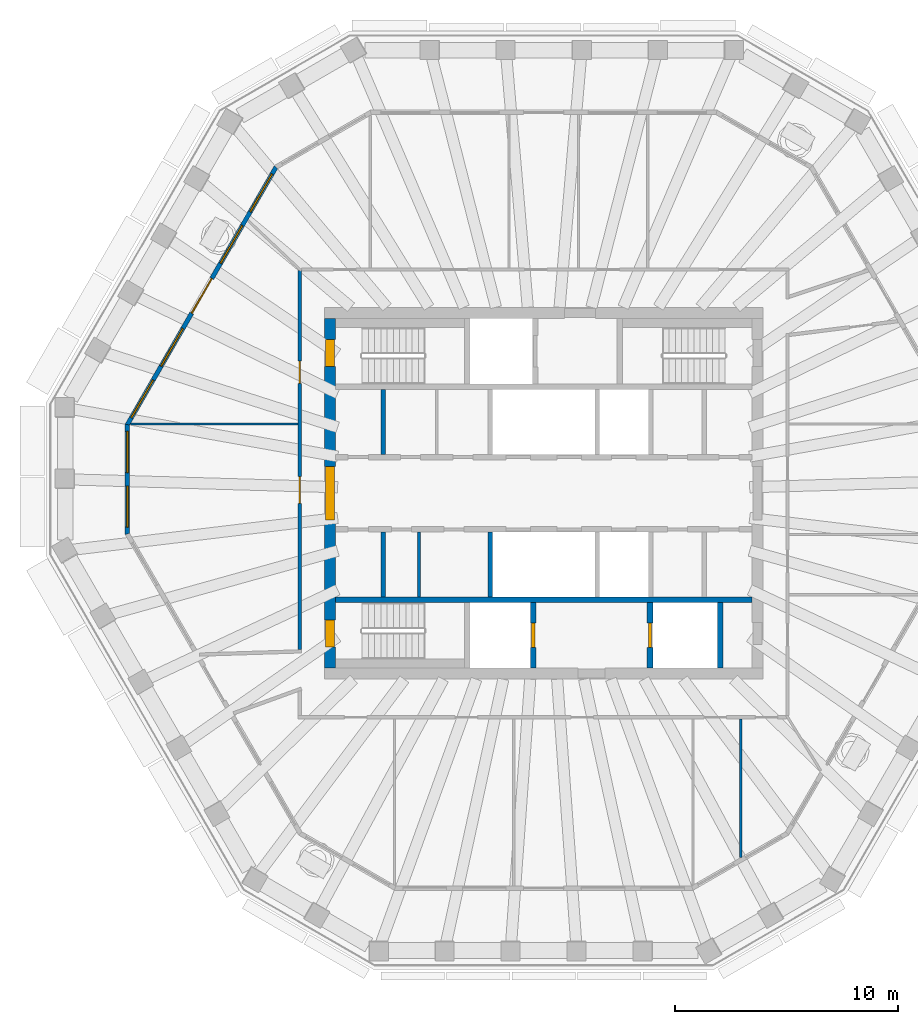
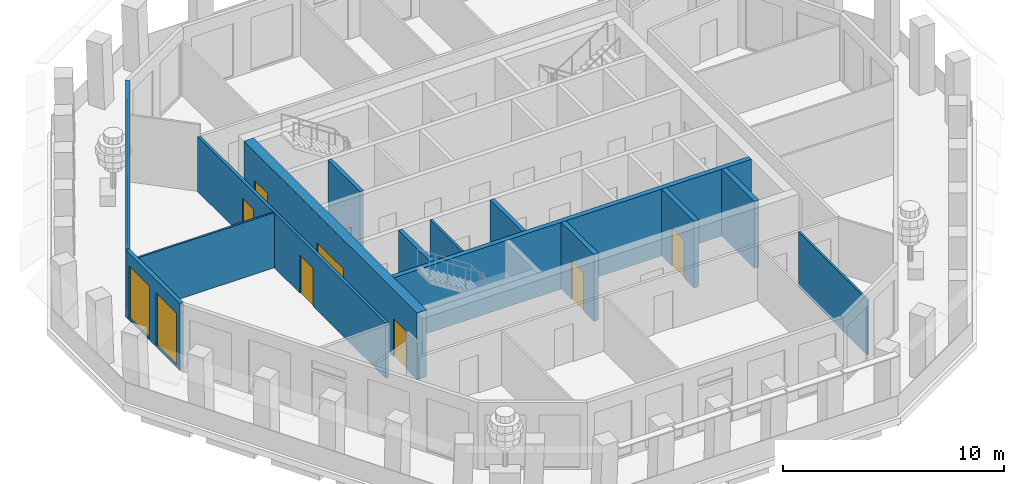
# One storey, part 4 of 11: 14 walls, 8 doors, 7 windows, 15 openings.
"""IFC4 building model written with IfcOpenShell, lengths in metres."""

from ifc_helpers import new_model, si_unit, direction, frame, frame_2d, origin, place, context, subcontext, project, spatial, polyline, rectangle, outline, extrude, material, layer, layer_set, type_object, element, fill, save


model = new_model("IFC4")

# Units and contexts
model_context = context("Model", 3, precision=1e-05, world=origin(), true_north=direction((0.0, 1.0)))
body_context = subcontext(model_context, "Body", "Model", "MODEL_VIEW")
ifc_project = project(units=[si_unit("LENGTHUNIT", "METRE"), si_unit("AREAUNIT", "SQUARE_METRE"), si_unit("VOLUMEUNIT", "CUBIC_METRE"), si_unit("PLANEANGLEUNIT", "RADIAN"), si_unit("MASSUNIT", "GRAM", prefix="KILO")], contexts=[model_context])

# Site, building, storey
site_placement = place(None, origin())
site = spatial("IfcSite", under=ifc_project, at=site_placement, CompositionType="ELEMENT")
building_placement = place(site_placement, origin())
building = spatial("IfcBuilding", under=site, at=building_placement, Name="Frailejon Research Tower", CompositionType="ELEMENT")
storey_placement = place(building_placement, frame((0.0, 0.0, 328.60009765625)))
storey = spatial("IfcBuildingStorey", under=building, at=storey_placement, Name="L73", CompositionType="ELEMENT", Elevation=328.60009765625)

# Wall
ifc_material_1 = material(Name="Plasterboard on steel studs", Category="steel")
ifc_layer_1 = layer(ifc_material_1, 0.125)
ifc_layer_set_1 = layer_set([ifc_layer_1], Name="Core partition 125")
wall_type_1 = type_object("IfcWallType", Name="Core partition 125", PredefinedType="PARTITIONING", material=ifc_layer_set_1)
wall_1_placement = place(storey_placement, frame((-5.60009765625, -4.64990234375, 0.0), z_axis=(0.0, 0.0, 1.0), x_axis=(0.0, 1.0, 0.0)))
element("IfcWall", 1, at=wall_1_placement, inside=storey, type_object=wall_type_1, Name="Core partition", PredefinedType="PARTITIONING", context=body_context, shape_type="SweptSolid", body=[
    extrude(rectangle(XDim=2.89990234375, YDim=0.125, at=frame_2d((1.449951171875, 0.0))), origin(), (0.0, 0.0, 1.0), 3.699951171875),
])

# Wall, openings, doors
ifc_material_2 = material(Name="Concrete C50/60", Category="concrete")
ifc_layer_2 = layer(ifc_material_2, 0.5)
ifc_layer_set_2 = layer_set([ifc_layer_2], Name="Core shear wall 500 C50/60")
wall_type_2 = type_object("IfcWallType", Name="Core shear wall 500 C50/60", PredefinedType="SHEAR", material=ifc_layer_set_2)
wall_2_placement = place(storey_placement, frame((-9.60009765625, -7.85009765625, 0.0), z_axis=(0.0, 0.0, 1.0), x_axis=(0.0, 1.0, 0.0)))
wall_2 = element("IfcWall", 2, at=wall_2_placement, inside=storey, type_object=wall_type_2, Name="Core shear wall", PredefinedType="SHEAR", context=body_context, shape_type="SweptSolid", body=[
    extrude(rectangle(XDim=15.7001953125, YDim=0.5, at=frame_2d((7.85009765625, 0.0))), origin(), (0.0, 0.0, 1.0), 3.699951171875),
])
opening_1_placement = place(wall_2_placement, frame((6.64990234375, 0.0, 0.0)))
opening_1 = element("IfcOpeningElement", 3, at=opening_1_placement, cuts=wall_2, Name="Opening D2", PredefinedType="OPENING", context=body_context, shape_type="SweptSolid", body=[
    extrude(rectangle(XDim=2.39990234375, YDim=2.10009765625, at=frame_2d((1.199951171875, 1.050048828125))), frame((0.0, 0.260009765625, 0.0), z_axis=(0.0, -1.0, 0.0), x_axis=(1.0, 0.0, 0.0)), (0.0, 0.0, 1.0), 0.52001953125),
])
opening_2_placement = place(wall_2_placement, frame((13.550048828125, 0.0, 0.0)))
opening_2 = element("IfcOpeningElement", 4, at=opening_2_placement, cuts=wall_2, Name="Opening D1", PredefinedType="OPENING", context=body_context, shape_type="SweptSolid", body=[
    extrude(rectangle(XDim=1.199951171875, YDim=2.10009765625, at=frame_2d((0.60009765625, 1.050048828125))), frame((0.0, 0.260009765625, 0.0), z_axis=(0.0, -1.0, 0.0), x_axis=(1.0, 0.0, 0.0)), (0.0, 0.0, 1.0), 0.52001953125),
])
opening_3_placement = place(wall_2_placement, frame((0.949951171875, 0.0, 0.0)))
opening_3 = element("IfcOpeningElement", 5, at=opening_3_placement, cuts=wall_2, Name="Opening D1", PredefinedType="OPENING", context=body_context, shape_type="SweptSolid", body=[
    extrude(rectangle(XDim=1.199951171875, YDim=2.10009765625, at=frame_2d((0.60009765625, 1.050048828125))), frame((0.0, 0.260009765625, 0.0), z_axis=(0.0, -1.0, 0.0), x_axis=(1.0, 0.0, 0.0)), (0.0, 0.0, 1.0), 0.52001953125),
])
ifc_material_3 = material(Name="Steel", Category="steel")
door_type_1 = type_object("IfcDoorType", Name="Lobby double door", OperationType="DOUBLE_DOOR_SINGLE_SWING", PredefinedType="DOOR", material=ifc_material_3)
door_1_placement = place(opening_1_placement, origin())
door_1 = element("IfcDoor", 6, at=door_1_placement, inside=storey, type_object=door_type_1, Name="Lobby door", OperationType="DOUBLE_DOOR_SINGLE_SWING", OverallHeight=2.10009765625, OverallWidth=2.39990234375, PredefinedType="DOOR", context=body_context, shape_type="SweptSolid", body=[
    extrude(rectangle(XDim=2.39990234375, YDim=2.10009765625, at=frame_2d((1.199951171875, 1.050048828125))), frame((0.0, 0.199951171875, 0.0), z_axis=(0.0, -1.0, 0.0), x_axis=(1.0, 0.0, 0.0)), (0.0, 0.0, 1.0), 0.39990234375),
])
fill(opening_1, door_1)
ifc_material_4 = material(Name="Steel", Category="steel")
door_type_2 = type_object("IfcDoorType", Name="Stair door", OperationType="SINGLE_SWING_LEFT", PredefinedType="DOOR", material=ifc_material_4)
door_2_placement = place(opening_2_placement, origin())
door_2 = element("IfcDoor", 7, at=door_2_placement, inside=storey, type_object=door_type_2, Name="Stair door ST1", OperationType="SINGLE_SWING_RIGHT", OverallHeight=2.10009765625, OverallWidth=1.199951171875, PredefinedType="DOOR", context=body_context, shape_type="SweptSolid", body=[
    extrude(rectangle(XDim=1.199951171875, YDim=2.10009765625, at=frame_2d((0.60009765625, 1.050048828125))), frame((0.0, 0.199951171875, 0.0), z_axis=(0.0, -1.0, 0.0), x_axis=(1.0, 0.0, 0.0)), (0.0, 0.0, 1.0), 0.39990234375),
])
fill(opening_2, door_2)
door_3_placement = place(opening_3_placement, origin())
door_3 = element("IfcDoor", 8, at=door_3_placement, inside=storey, type_object=door_type_2, Name="Stair door ST2", OperationType="SINGLE_SWING_LEFT", OverallHeight=2.10009765625, OverallWidth=1.199951171875, PredefinedType="DOOR", context=body_context, shape_type="SweptSolid", body=[
    extrude(rectangle(XDim=1.199951171875, YDim=2.10009765625, at=frame_2d((0.60009765625, 1.050048828125))), frame((0.0, 0.199951171875, 0.0), z_axis=(0.0, -1.0, 0.0), x_axis=(1.0, 0.0, 0.0)), (0.0, 0.0, 1.0), 0.39990234375),
])
fill(opening_3, door_3)

ifc_material_5 = material(Name="Gypsum board and masonry partition", Category="masonry")
ifc_layer_3 = layer(ifc_material_5, 0.14990234375)
ifc_layer_set_3 = layer_set([ifc_layer_3], Name="Corridor wall EI 60, gypsum on steel studs 150")
wall_type_3 = type_object("IfcWallType", Name="Corridor wall EI 60, gypsum on steel studs 150", PredefinedType="PARTITIONING", material=ifc_layer_set_3)
wall_3_placement = place(storey_placement, frame((-10.949951171875, -7.02490234375, 0.0), z_axis=(0.0, 0.0, 1.0), x_axis=(0.0, 1.0, 0.0)))
wall_3 = element("IfcWall", 9, at=wall_3_placement, inside=storey, type_object=wall_type_3, Name="T:IW:L73:007", PredefinedType="PARTITIONING", context=body_context, shape_type="SweptSolid", body=[
    extrude(rectangle(XDim=17.02490234375, YDim=0.14990234375, at=frame_2d((8.512451171875, 0.0))), origin(), (0.0, 0.0, 1.0), 3.0498046875),
])
opening_4_placement = place(wall_3_placement, frame((11.95751953125, 0.0, 0.0)))
opening_4 = element("IfcOpeningElement", 10, at=opening_4_placement, cuts=wall_3, Name="Opening D2371", PredefinedType="OPENING", context=body_context, shape_type="SweptSolid", body=[
    extrude(rectangle(XDim=1.0, YDim=2.10009765625, at=frame_2d((0.5, 1.050048828125))), frame((0.0, 0.0849609375, 0.0), z_axis=(0.0, -1.0, 0.0), x_axis=(1.0, 0.0, 0.0)), (0.0, 0.0, 1.0), 0.169921875),
])
opening_5_placement = place(wall_3_placement, frame((6.56884765625, 0.0, 0.0)))
opening_5 = element("IfcOpeningElement", 11, at=opening_5_placement, cuts=wall_3, Name="Opening D2372", PredefinedType="OPENING", context=body_context, shape_type="SweptSolid", body=[
    extrude(rectangle(XDim=1.199951171875, YDim=2.10009765625, at=frame_2d((0.60009765625, 1.050048828125))), frame((0.0, 0.0849609375, 0.0), z_axis=(0.0, -1.0, 0.0), x_axis=(1.0, 0.0, 0.0)), (0.0, 0.0, 1.0), 0.169921875),
])
ifc_material_6 = material(Name="Timber door leaf", Category="wood")
door_type_3 = type_object("IfcDoorType", Name="Door single leaf, timber, steel frame 1000", OperationType="NOTDEFINED", PredefinedType="DOOR", material=ifc_material_6)
door_4_placement = place(opening_4_placement, origin())
door_4 = element("IfcDoor", 12, at=door_4_placement, inside=storey, type_object=door_type_3, Name="D2371", OperationType="SINGLE_SWING_LEFT", OverallHeight=2.10009765625, OverallWidth=1.0, PredefinedType="DOOR", context=body_context, shape_type="SweptSolid", body=[
    extrude(rectangle(XDim=1.0, YDim=2.10009765625, at=frame_2d((0.5, 1.050048828125))), frame((0.0, 0.02490234375, 0.0), z_axis=(0.0, -1.0, 0.0), x_axis=(1.0, 0.0, 0.0)), (0.0, 0.0, 1.0), 0.050048828125),
])
fill(opening_4, door_4)
ifc_material_7 = material(Name="Timber door leaf", Category="wood")
door_type_4 = type_object("IfcDoorType", Name="Door single leaf, timber, steel frame 1200", OperationType="NOTDEFINED", PredefinedType="DOOR", material=ifc_material_7)
door_5_placement = place(opening_5_placement, origin())
door_5 = element("IfcDoor", 13, at=door_5_placement, inside=storey, type_object=door_type_4, Name="D2372", OperationType="DOUBLE_DOOR_SINGLE_SWING", OverallHeight=2.10009765625, OverallWidth=1.199951171875, PredefinedType="DOOR", context=body_context, shape_type="SweptSolid", body=[
    extrude(rectangle(XDim=1.199951171875, YDim=2.10009765625, at=frame_2d((0.60009765625, 1.050048828125))), frame((0.0, 0.02490234375, 0.0), z_axis=(0.0, -1.0, 0.0), x_axis=(1.0, 0.0, 0.0)), (0.0, 0.0, 1.0), 0.050048828125),
])
fill(opening_5, door_5)

# Walls
ifc_material_8 = material(Name="Gypsum board and masonry partition", Category="masonry")
ifc_layer_4 = layer(ifc_material_8, 0.10009765625)
ifc_layer_set_4 = layer_set([ifc_layer_4], Name="Partition, gypsum on steel studs 100")
wall_type_4 = type_object("IfcWallType", Name="Partition, gypsum on steel studs 100", PredefinedType="PARTITIONING", material=ifc_layer_set_4)
wall_4_placement = place(storey_placement, frame((-18.5595703125, 3.111083984375, 0.0), z_axis=(0.0, 0.0, 1.0), x_axis=(1.0, 0.0, 0.0)))
element("IfcWall", 14, at=wall_4_placement, inside=storey, type_object=wall_type_4, Name="T:IW:L73:011", PredefinedType="PARTITIONING", context=body_context, shape_type="SweptSolid", body=[
    extrude(rectangle(XDim=7.53466796875, YDim=0.10009765625, at=frame_2d((3.767333984375, 0.0))), origin(), (0.0, 0.0, 1.0), 3.0498046875),
])
wall_5_placement = place(storey_placement, frame((8.850830078125, -16.356201171875, 0.0), z_axis=(0.0, 0.0, 1.0), x_axis=(0.0, 1.0, 0.0)))
element("IfcWall", 15, at=wall_5_placement, inside=storey, type_object=wall_type_4, Name="T:IW:L73:022", PredefinedType="PARTITIONING", context=body_context, shape_type="SweptSolid", body=[
    extrude(rectangle(XDim=6.231201171875, YDim=0.10009765625, at=frame_2d((3.11572265625, 0.0))), origin(), (0.0, 0.0, 1.0), 3.0498046875),
])
ifc_material_9 = material(Name="Concrete C50/60", Category="concrete")
ifc_layer_5 = layer(ifc_material_9, 0.199951171875)
ifc_layer_set_5 = layer_set([ifc_layer_5], Name="Shaft wall 200 C50/60")
wall_type_5 = type_object("IfcWallType", Name="Shaft wall 200 C50/60", PredefinedType="SOLIDWALL", material=ifc_layer_set_5)
for number, where, z_axis, x_axis, name in (
    (16, (-7.199951171875, 1.75, 0.0), (0.0, 0.0, 1.0), (0.0, 1.0, 0.0), "Shaft wall"),
    (17, (-7.199951171875, -4.64990234375, 0.0), (0.0, 0.0, 1.0), (0.0, 1.0, 0.0), "Shaft wall"),
    (18, (-2.39990234375, -4.64990234375, 0.0), (0.0, 0.0, 1.0), (0.0, 1.0, 0.0), "Shaft wall"),
):
    element("IfcWall", number, at=place(storey_placement, frame(where, z_axis=z_axis, x_axis=x_axis)), inside=storey, type_object=wall_type_5, Name=name, PredefinedType="SOLIDWALL", context=body_context, shape_type="SweptSolid", body=[
        extrude(rectangle(XDim=2.89990234375, YDim=0.199951171875, at=frame_2d((1.449951171875, 0.0))), origin(), (0.0, 0.0, 1.0), 3.699951171875),
    ])
ifc_material_10 = material(Name="Concrete C50/60", Category="concrete")
ifc_layer_6 = layer(ifc_material_10, 0.25)
ifc_layer_set_6 = layer_set([ifc_layer_6], Name="Shaft wall 250 C50/60")
wall_type_6 = type_object("IfcWallType", Name="Shaft wall 250 C50/60", PredefinedType="SOLIDWALL", material=ifc_layer_set_6)
wall_6_placement = place(storey_placement, frame((-9.35009765625, -4.77490234375, 0.0), z_axis=(0.0, 0.0, 1.0), x_axis=(1.0, 0.0, 0.0)))
element("IfcWall", 19, at=wall_6_placement, inside=storey, type_object=wall_type_6, Name="Shaft wall", PredefinedType="SOLIDWALL", context=body_context, shape_type="SweptSolid", body=[
    extrude(rectangle(XDim=18.7001953125, YDim=0.25, at=frame_2d((9.35009765625, 0.0))), origin(), (0.0, 0.0, 1.0), 3.699951171875),
])

# Wall, opening, door
wall_7_placement = place(storey_placement, frame((-0.47509765625, -7.85009765625, 0.0), z_axis=(0.0, 0.0, 1.0), x_axis=(0.0, 1.0, 0.0)))
wall_7 = element("IfcWall", 20, at=wall_7_placement, inside=storey, type_object=wall_type_6, Name="Shaft wall", PredefinedType="SOLIDWALL", context=body_context, shape_type="SweptSolid", body=[
    extrude(rectangle(XDim=2.9501953125, YDim=0.25, at=frame_2d((1.47509765625, 0.0))), origin(), (0.0, 0.0, 1.0), 3.699951171875),
])
opening_6_placement = place(wall_7_placement, frame((0.925048828125, 0.0, 0.0)))
opening_6 = element("IfcOpeningElement", 21, at=opening_6_placement, cuts=wall_7, Name="Opening LD", PredefinedType="OPENING", context=body_context, shape_type="SweptSolid", body=[
    extrude(rectangle(XDim=1.10009765625, YDim=2.10009765625, at=frame_2d((0.550048828125, 1.050048828125))), frame((0.0, 0.135009765625, 0.0), z_axis=(0.0, -1.0, 0.0), x_axis=(1.0, 0.0, 0.0)), (0.0, 0.0, 1.0), 0.27001953125),
])
ifc_material_11 = material(Name="Steel", Category="steel")
door_type_5 = type_object("IfcDoorType", Name="Lift landing door", OperationType="DOUBLE_DOOR_SLIDING", PredefinedType="DOOR", material=ifc_material_11)
door_6_placement = place(opening_6_placement, origin())
door_6 = element("IfcDoor", 22, at=door_6_placement, inside=storey, type_object=door_type_5, Name="Lift landing door", OperationType="DOUBLE_DOOR_SLIDING", OverallHeight=2.10009765625, OverallWidth=1.10009765625, PredefinedType="DOOR", context=body_context, shape_type="SweptSolid", body=[
    extrude(rectangle(XDim=1.10009765625, YDim=2.10009765625, at=frame_2d((0.550048828125, 1.050048828125))), frame((0.0, 0.074951171875, 0.0), z_axis=(0.0, -1.0, 0.0), x_axis=(1.0, 0.0, 0.0)), (0.0, 0.0, 1.0), 0.14990234375),
])
fill(opening_6, door_6)

wall_8_placement = place(storey_placement, frame((4.77490234375, -7.85009765625, 0.0), z_axis=(0.0, 0.0, 1.0), x_axis=(0.0, 1.0, 0.0)))
wall_8 = element("IfcWall", 23, at=wall_8_placement, inside=storey, type_object=wall_type_6, Name="Shaft wall", PredefinedType="SOLIDWALL", context=body_context, shape_type="SweptSolid", body=[
    extrude(rectangle(XDim=2.9501953125, YDim=0.25, at=frame_2d((1.47509765625, 0.0))), origin(), (0.0, 0.0, 1.0), 3.699951171875),
])
opening_7_placement = place(wall_8_placement, frame((0.925048828125, 0.0, 0.0)))
opening_7 = element("IfcOpeningElement", 24, at=opening_7_placement, cuts=wall_8, Name="Opening LD", PredefinedType="OPENING", context=body_context, shape_type="SweptSolid", body=[
    extrude(rectangle(XDim=1.10009765625, YDim=2.10009765625, at=frame_2d((0.550048828125, 1.050048828125))), frame((0.0, 0.135009765625, 0.0), z_axis=(0.0, -1.0, 0.0), x_axis=(1.0, 0.0, 0.0)), (0.0, 0.0, 1.0), 0.27001953125),
])
door_7_placement = place(opening_7_placement, origin())
door_7 = element("IfcDoor", 25, at=door_7_placement, inside=storey, type_object=door_type_5, Name="Lift landing door", OperationType="DOUBLE_DOOR_SLIDING", OverallHeight=2.10009765625, OverallWidth=1.10009765625, PredefinedType="DOOR", context=body_context, shape_type="SweptSolid", body=[
    extrude(rectangle(XDim=1.10009765625, YDim=2.10009765625, at=frame_2d((0.550048828125, 1.050048828125))), frame((0.0, 0.074951171875, 0.0), z_axis=(0.0, -1.0, 0.0), x_axis=(1.0, 0.0, 0.0)), (0.0, 0.0, 1.0), 0.14990234375),
])
fill(opening_7, door_7)

# Wall
wall_9_placement = place(storey_placement, frame((7.925048828125, -7.85009765625, 0.0), z_axis=(0.0, 0.0, 1.0), x_axis=(0.0, 1.0, 0.0)))
element("IfcWall", 26, at=wall_9_placement, inside=storey, type_object=wall_type_6, Name="Shaft wall", PredefinedType="SOLIDWALL", context=body_context, shape_type="SweptSolid", body=[
    extrude(rectangle(XDim=2.9501953125, YDim=0.25, at=frame_2d((1.47509765625, 0.0))), origin(), (0.0, 0.0, 1.0), 3.699951171875),
])

# Wall, openings, door, windows
ifc_material_12 = material(Name="Concrete C40/50 precast window wall panel", Category="concrete")
ifc_layer_7 = layer(ifc_material_12, 0.199951171875)
ifc_layer_set_7 = layer_set([ifc_layer_7], Name="Window wall 200")
wall_type_7 = type_object("IfcWallType", Name="Window wall 200", PredefinedType="SOLIDWALL", material=ifc_layer_set_7)
wall_10_placement = place(storey_placement, frame((-12.016357421875, 14.644287109375, 0.0), z_axis=(0.0, 0.0, 1.0), x_axis=(-0.499992657759, -0.866029642788, 0.0)))
wall_10 = element("IfcWall", 27, at=wall_10_placement, inside=storey, type_object=wall_type_7, Name="Exterior wall L73", PredefinedType="SOLIDWALL", context=body_context, shape_type="SweptSolid", body=[
    extrude(outline(polyline([(-0.02685546875, -0.10009765625), (1.004150390625, -0.10009765625), (2.034912109375, -0.10009765625), (3.06591796875, -0.10009765625), (4.096923828125, -0.10009765625), (5.127685546875, -0.10009765625), (6.15869140625, -0.10009765625), (7.189697265625, -0.10009765625), (8.220703125, -0.10009765625), (9.25146484375, -0.10009765625), (10.282470703125, -0.10009765625), (11.3134765625, -0.10009765625), (12.34423828125, -0.10009765625), (13.375244140625, -0.10009765625), (13.321533203125, 0.10009765625), (12.298828125, 0.10009765625), (11.276123046875, 0.10009765625), (10.25341796875, 0.10009765625), (9.23095703125, 0.10009765625), (8.208251953125, 0.10009765625), (7.185546875, 0.10009765625), (6.162841796875, 0.10009765625), (5.14013671875, 0.10009765625), (4.117431640625, 0.10009765625), (3.094970703125, 0.10009765625), (2.072265625, 0.10009765625), (1.049560546875, 0.10009765625), (0.02685546875, 0.10009765625), (-0.02685546875, -0.10009765625)])), origin(), (0.0, 0.0, 1.0), 3.699951171875),
])
opening_8_placement = place(wall_10_placement, frame((0.35986328125, 0.0, 0.10009765625)))
opening_8 = element("IfcOpeningElement", 28, at=opening_8_placement, cuts=wall_10, Name="Opening W27", PredefinedType="OPENING", context=body_context, shape_type="SweptSolid", body=[
    extrude(rectangle(XDim=1.949951171875, YDim=2.89990234375, at=frame_2d((0.97509765625, 1.449951171875))), frame((0.0, 0.10986328125, 0.0), z_axis=(0.0, -1.0, 0.0), x_axis=(1.0, 0.0, 0.0)), (0.0, 0.0, 1.0), 0.219970703125),
])
opening_9_placement = place(wall_10_placement, frame((3.029541015625, 0.0, 0.10009765625)))
opening_9 = element("IfcOpeningElement", 29, at=opening_9_placement, cuts=wall_10, Name="Opening W27", PredefinedType="OPENING", context=body_context, shape_type="SweptSolid", body=[
    extrude(rectangle(XDim=1.949951171875, YDim=2.89990234375, at=frame_2d((0.97509765625, 1.449951171875))), frame((0.0, 0.10986328125, 0.0), z_axis=(0.0, -1.0, 0.0), x_axis=(1.0, 0.0, 0.0)), (0.0, 0.0, 1.0), 0.219970703125),
])
opening_10_placement = place(wall_10_placement, frame((5.774169921875, 0.0, 0.0)))
opening_10 = element("IfcOpeningElement", 30, at=opening_10_placement, cuts=wall_10, Name="Opening LG73-3", PredefinedType="OPENING", context=body_context, shape_type="SweptSolid", body=[
    extrude(rectangle(XDim=1.800048828125, YDim=2.39990234375, at=frame_2d((0.89990234375, 1.199951171875))), frame((0.0, 0.10986328125, 0.0), z_axis=(0.0, -1.0, 0.0), x_axis=(1.0, 0.0, 0.0)), (0.0, 0.0, 1.0), 0.219970703125),
])
opening_11_placement = place(wall_10_placement, frame((5.774169921875, 0.0, 2.550048828125)))
opening_11 = element("IfcOpeningElement", 31, at=opening_11_placement, cuts=wall_10, Name="Opening W1", PredefinedType="OPENING", context=body_context, shape_type="SweptSolid", body=[
    extrude(rectangle(XDim=1.800048828125, YDim=0.449951171875, at=frame_2d((0.89990234375, 0.22509765625))), frame((0.0, 0.10986328125, 0.0), z_axis=(0.0, -1.0, 0.0), x_axis=(1.0, 0.0, 0.0)), (0.0, 0.0, 1.0), 0.219970703125),
])
opening_12_placement = place(wall_10_placement, frame((8.36865234375, 0.0, 0.10009765625)))
opening_12 = element("IfcOpeningElement", 32, at=opening_12_placement, cuts=wall_10, Name="Opening W27", PredefinedType="OPENING", context=body_context, shape_type="SweptSolid", body=[
    extrude(rectangle(XDim=1.949951171875, YDim=2.89990234375, at=frame_2d((0.97509765625, 1.449951171875))), frame((0.0, 0.10986328125, 0.0), z_axis=(0.0, -1.0, 0.0), x_axis=(1.0, 0.0, 0.0)), (0.0, 0.0, 1.0), 0.219970703125),
])
opening_13_placement = place(wall_10_placement, frame((11.038330078125, 0.0, 0.10009765625)))
opening_13 = element("IfcOpeningElement", 33, at=opening_13_placement, cuts=wall_10, Name="Opening W27", PredefinedType="OPENING", context=body_context, shape_type="SweptSolid", body=[
    extrude(rectangle(XDim=1.949951171875, YDim=2.89990234375, at=frame_2d((0.97509765625, 1.449951171875))), frame((0.0, 0.10986328125, 0.0), z_axis=(0.0, -1.0, 0.0), x_axis=(1.0, 0.0, 0.0)), (0.0, 0.0, 1.0), 0.219970703125),
])
ifc_material_13 = material(Name="Aluminium framed glazed door leaf", Category="aluminium")
door_type_6 = type_object("IfcDoorType", Name="Loggia door 1800x2400", OperationType="DOUBLE_DOOR_SINGLE_SWING", PredefinedType="DOOR", material=ifc_material_13)
door_8_placement = place(opening_10_placement, origin())
door_8 = element("IfcDoor", 34, at=door_8_placement, inside=storey, type_object=door_type_6, Name="Door LG73-3", OperationType="DOUBLE_DOOR_SINGLE_SWING", OverallHeight=2.39990234375, OverallWidth=1.800048828125, PredefinedType="DOOR", context=body_context, shape_type="SweptSolid", body=[
    extrude(rectangle(XDim=1.800048828125, YDim=2.39990234375, at=frame_2d((0.89990234375, 1.199951171875))), frame((0.0, 0.02490234375, 0.0), z_axis=(0.0, -1.0, 0.0), x_axis=(1.0, 0.0, 0.0)), (0.0, 0.0, 1.0), 0.050048828125),
])
fill(opening_10, door_8)
ifc_material_14 = material(Name="Aluminium framed double glazing", Category="aluminium")
window_type_1 = type_object("IfcWindowType", Name="Window 1800x450", PartitioningType="SINGLE_PANEL", PredefinedType="WINDOW", material=ifc_material_14)
window_1_placement = place(opening_11_placement, origin())
window_1 = element("IfcWindow", 35, at=window_1_placement, inside=storey, type_object=window_type_1, Name="Window L73", OverallHeight=0.449951171875, OverallWidth=1.800048828125, PartitioningType="SINGLE_PANEL", PredefinedType="WINDOW", context=body_context, shape_type="SweptSolid", body=[
    extrude(rectangle(XDim=1.800048828125, YDim=0.449951171875, at=frame_2d((0.89990234375, 0.22509765625))), frame((0.0, 0.030029296875, 0.0), z_axis=(0.0, -1.0, 0.0), x_axis=(1.0, 0.0, 0.0)), (0.0, 0.0, 1.0), 0.06005859375),
])
fill(opening_11, window_1)
ifc_material_15 = material(Name="Aluminium framed double glazing", Category="aluminium")
window_type_2 = type_object("IfcWindowType", Name="Window 1950x2900", PartitioningType="SINGLE_PANEL", PredefinedType="WINDOW", material=ifc_material_15)
window_2_placement = place(opening_8_placement, origin())
window_2 = element("IfcWindow", 36, at=window_2_placement, inside=storey, type_object=window_type_2, Name="Window L73", OverallHeight=2.89990234375, OverallWidth=1.949951171875, PartitioningType="SINGLE_PANEL", PredefinedType="WINDOW", context=body_context, shape_type="SweptSolid", body=[
    extrude(rectangle(XDim=1.949951171875, YDim=2.89990234375, at=frame_2d((0.97509765625, 1.449951171875))), frame((0.0, 0.030029296875, 0.0), z_axis=(0.0, -1.0, 0.0), x_axis=(1.0, 0.0, 0.0)), (0.0, 0.0, 1.0), 0.06005859375),
])
fill(opening_8, window_2)
window_3_placement = place(opening_9_placement, origin())
window_3 = element("IfcWindow", 37, at=window_3_placement, inside=storey, type_object=window_type_2, Name="Window L73", OverallHeight=2.89990234375, OverallWidth=1.949951171875, PartitioningType="SINGLE_PANEL", PredefinedType="WINDOW", context=body_context, shape_type="SweptSolid", body=[
    extrude(rectangle(XDim=1.949951171875, YDim=2.89990234375, at=frame_2d((0.97509765625, 1.449951171875))), frame((0.0, 0.030029296875, 0.0), z_axis=(0.0, -1.0, 0.0), x_axis=(1.0, 0.0, 0.0)), (0.0, 0.0, 1.0), 0.06005859375),
])
fill(opening_9, window_3)
window_4_placement = place(opening_12_placement, origin())
window_4 = element("IfcWindow", 38, at=window_4_placement, inside=storey, type_object=window_type_2, Name="Window L73", OverallHeight=2.89990234375, OverallWidth=1.949951171875, PartitioningType="SINGLE_PANEL", PredefinedType="WINDOW", context=body_context, shape_type="SweptSolid", body=[
    extrude(rectangle(XDim=1.949951171875, YDim=2.89990234375, at=frame_2d((0.97509765625, 1.449951171875))), frame((0.0, 0.030029296875, 0.0), z_axis=(0.0, -1.0, 0.0), x_axis=(1.0, 0.0, 0.0)), (0.0, 0.0, 1.0), 0.06005859375),
])
fill(opening_12, window_4)
window_5_placement = place(opening_13_placement, origin())
window_5 = element("IfcWindow", 39, at=window_5_placement, inside=storey, type_object=window_type_2, Name="Window L73", OverallHeight=2.89990234375, OverallWidth=1.949951171875, PartitioningType="SINGLE_PANEL", PredefinedType="WINDOW", context=body_context, shape_type="SweptSolid", body=[
    extrude(rectangle(XDim=1.949951171875, YDim=2.89990234375, at=frame_2d((0.97509765625, 1.449951171875))), frame((0.0, 0.030029296875, 0.0), z_axis=(0.0, -1.0, 0.0), x_axis=(1.0, 0.0, 0.0)), (0.0, 0.0, 1.0), 0.06005859375),
])
fill(opening_13, window_5)

# Wall, openings, windows
wall_11_placement = place(storey_placement, frame((-18.6904296875, 3.084228515625, 0.0), z_axis=(0.0, 0.0, 1.0), x_axis=(0.0, -1.0, 0.0)))
wall_11 = element("IfcWall", 40, at=wall_11_placement, inside=storey, type_object=wall_type_7, Name="Exterior wall L73", PredefinedType="SOLIDWALL", context=body_context, shape_type="SweptSolid", body=[
    extrude(outline(polyline([(-0.02685546875, -0.10009765625), (1.21435546875, -0.10009765625), (2.455810546875, -0.10009765625), (3.697265625, -0.10009765625), (4.9384765625, -0.10009765625), (4.884765625, 0.10009765625), (3.67041015625, 0.10009765625), (2.455810546875, 0.10009765625), (1.2412109375, 0.10009765625), (0.02685546875, 0.10009765625), (-0.02685546875, -0.10009765625)])), origin(), (0.0, 0.0, 1.0), 3.699951171875),
])
opening_14_placement = place(wall_11_placement, frame((0.302978515625, 0.0, 0.10009765625)))
opening_14 = element("IfcOpeningElement", 41, at=opening_14_placement, cuts=wall_11, Name="Opening W26", PredefinedType="OPENING", context=body_context, shape_type="SweptSolid", body=[
    extrude(rectangle(XDim=1.85009765625, YDim=2.89990234375, at=frame_2d((0.925048828125, 1.449951171875))), frame((0.0, 0.10986328125, 0.0), z_axis=(0.0, -1.0, 0.0), x_axis=(1.0, 0.0, 0.0)), (0.0, 0.0, 1.0), 0.219970703125),
])
opening_15_placement = place(wall_11_placement, frame((2.7587890625, 0.0, 0.10009765625)))
opening_15 = element("IfcOpeningElement", 42, at=opening_15_placement, cuts=wall_11, Name="Opening W26", PredefinedType="OPENING", context=body_context, shape_type="SweptSolid", body=[
    extrude(rectangle(XDim=1.85009765625, YDim=2.89990234375, at=frame_2d((0.925048828125, 1.449951171875))), frame((0.0, 0.10986328125, 0.0), z_axis=(0.0, -1.0, 0.0), x_axis=(1.0, 0.0, 0.0)), (0.0, 0.0, 1.0), 0.219970703125),
])
ifc_material_16 = material(Name="Aluminium framed double glazing", Category="aluminium")
window_type_3 = type_object("IfcWindowType", Name="Window 1850x2900", PartitioningType="SINGLE_PANEL", PredefinedType="WINDOW", material=ifc_material_16)
window_6_placement = place(opening_14_placement, origin())
window_6 = element("IfcWindow", 43, at=window_6_placement, inside=storey, type_object=window_type_3, Name="Window L73", OverallHeight=2.89990234375, OverallWidth=1.85009765625, PartitioningType="SINGLE_PANEL", PredefinedType="WINDOW", context=body_context, shape_type="SweptSolid", body=[
    extrude(rectangle(XDim=1.85009765625, YDim=2.89990234375, at=frame_2d((0.925048828125, 1.449951171875))), frame((0.0, 0.030029296875, 0.0), z_axis=(0.0, -1.0, 0.0), x_axis=(1.0, 0.0, 0.0)), (0.0, 0.0, 1.0), 0.06005859375),
])
fill(opening_14, window_6)
window_7_placement = place(opening_15_placement, origin())
window_7 = element("IfcWindow", 44, at=window_7_placement, inside=storey, type_object=window_type_3, Name="Window L73", OverallHeight=2.89990234375, OverallWidth=1.85009765625, PartitioningType="SINGLE_PANEL", PredefinedType="WINDOW", context=body_context, shape_type="SweptSolid", body=[
    extrude(rectangle(XDim=1.85009765625, YDim=2.89990234375, at=frame_2d((0.925048828125, 1.449951171875))), frame((0.0, 0.030029296875, 0.0), z_axis=(0.0, -1.0, 0.0), x_axis=(1.0, 0.0, 0.0)), (0.0, 0.0, 1.0), 0.06005859375),
])
fill(opening_15, window_7)

save(model, "model.ifc")
